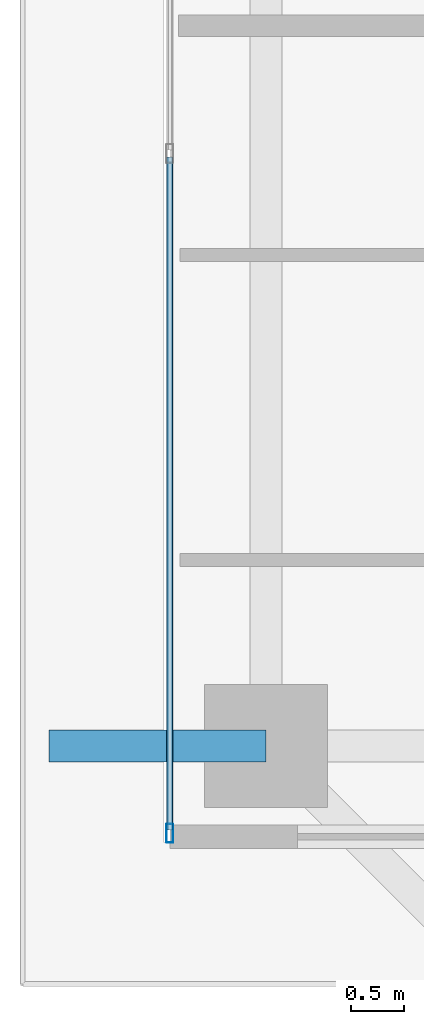
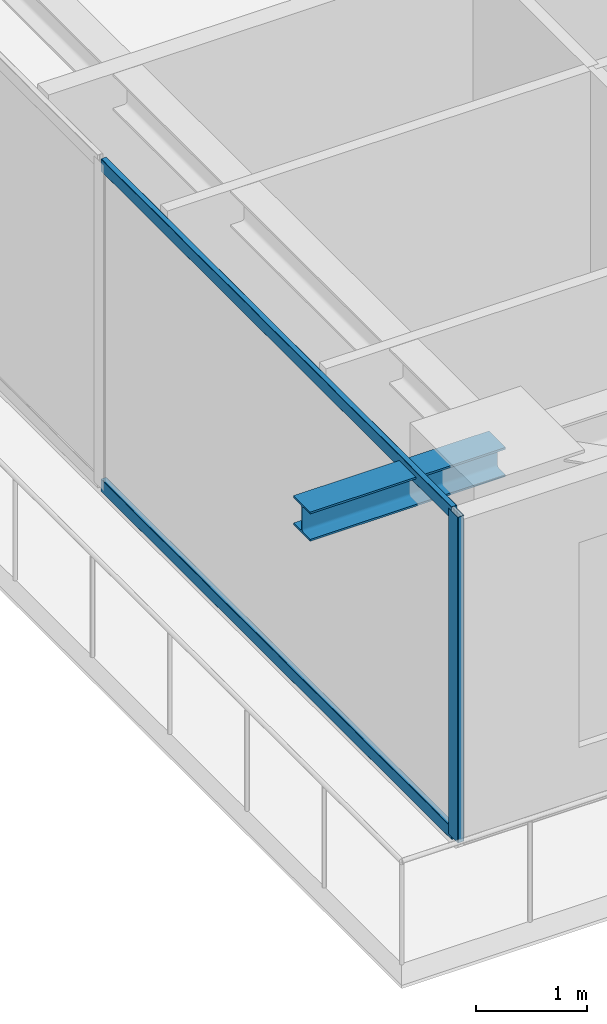
# One storey, part 3 of 37: 3 members, 1 beam, 1 element without a shape of its own.
"""IFC4 building model written with IfcOpenShell, lengths in metres."""

import ifcopenshell
import ifcopenshell.guid

model = None  # the IFC model being written
_history = None  # IfcOwnerHistory: only IFC2X3 demands one
_inside = {}  # id of a spatial element -> (the spatial element, [elements in it])
_under = {}  # id of a project, library or spatial element -> (it, [spatial elements below it])
_declared = {}  # id of a project -> (the project, [libraries it declares])
_typed = {}  # id of a type object -> (the type object, [elements of that type])
_made_of = {}  # id of a material, layer set ... -> (it, [elements and type objects made of it])


def new_model(schema):
    """Start an empty IFC model of exactly this schema.

    Asked for "IFC4X3", IfcOpenShell would pick the latest addendum, in which some entities
    have other attributes; the version numbers below select the first issue.
    IFC2X3 requires an IfcOwnerHistory on every rooted entity: one is made here for all.
    """
    global model, _history
    if schema == "IFC4X3":
        model = ifcopenshell.file(schema_version=(4, 3, 0, 0))
    else:
        model = ifcopenshell.file(schema=schema)
    _inside.clear()
    _under.clear()
    _declared.clear()
    _typed.clear()
    _made_of.clear()
    _history = None
    if model.schema == "IFC2X3":
        org = make("IfcOrganization", Name="unknown")
        user = make(
            "IfcPersonAndOrganization",
            ThePerson=make("IfcPerson", FamilyName="unknown"),
            TheOrganization=org,
        )
        app = make(
            "IfcApplication",
            ApplicationDeveloper=org,
            Version="unknown",
            ApplicationFullName="unknown",
            ApplicationIdentifier="unknown",
        )
        _history = make(
            "IfcOwnerHistory",
            OwningUser=user,
            OwningApplication=app,
            ChangeAction="ADDED",
            CreationDate=0,
        )
    return model


def make(cls, **values):
    """One entity of the class cls with the attributes given. An attribute that is None is left unset."""
    return model.create_entity(
        cls, **{name: value for name, value in values.items() if value is not None}
    )


def rooted(cls, **values):
    """An entity with a GlobalId (a new one), such as an element, a storey or a relation."""
    return make(cls, GlobalId=ifcopenshell.guid.new(), OwnerHistory=_history, **values)


def si_unit(unit_type, name, prefix=None):
    """IfcSIUnit, for example si_unit("LENGTHUNIT", "METRE", prefix="MILLI")."""
    return make("IfcSIUnit", UnitType=unit_type, Prefix=prefix, Name=name)


def assignment(units):
    """IfcUnitAssignment: the units of a project."""
    return None if units is None else make("IfcUnitAssignment", Units=units)


def point(xyz):
    """IfcCartesianPoint."""
    return None if xyz is None else make("IfcCartesianPoint", Coordinates=xyz)


def direction(xyz):
    """IfcDirection."""
    return None if xyz is None else make("IfcDirection", DirectionRatios=xyz)


def frame(location, z_axis=None, x_axis=None):
    """IfcAxis2Placement3D, a coordinate frame: its origin and axes. An axis left out is left unset."""
    return make(
        "IfcAxis2Placement3D",
        Location=point(location),
        Axis=direction(z_axis),
        RefDirection=direction(x_axis),
    )


def frame_2d(location, x_axis=None):
    """IfcAxis2Placement2D, a coordinate frame in the plane: its origin and x axis."""
    return make(
        "IfcAxis2Placement2D", Location=point(location), RefDirection=direction(x_axis)
    )


def origin():
    """The frame at (0, 0, 0) with its axes left unset."""
    return frame((0.0, 0.0, 0.0))


def origin_2d():
    """The frame at (0, 0) in the plane with its x axis left unset."""
    return frame_2d((0.0, 0.0))


def place(relative_to, where):
    """IfcLocalPlacement: puts the frame where relative to a parent placement (None: the world)."""
    return make(
        "IfcLocalPlacement", PlacementRelTo=relative_to, RelativePlacement=where
    )


def context(
    kind, dimensions, precision=None, world=None, true_north=None, identifier=None
):
    """IfcGeometricRepresentationContext, for example the 3D "Model" context."""
    return make(
        "IfcGeometricRepresentationContext",
        ContextIdentifier=identifier,
        ContextType=kind,
        CoordinateSpaceDimension=dimensions,
        Precision=precision,
        WorldCoordinateSystem=world,
        TrueNorth=true_north,
    )


def subcontext(parent, identifier, kind, view, scale=None):
    """IfcGeometricRepresentationSubContext, for example "Body" below "Model"."""
    return make(
        "IfcGeometricRepresentationSubContext",
        ContextIdentifier=identifier,
        ContextType=kind,
        ParentContext=parent,
        TargetScale=scale,
        TargetView=view,
    )


def project(units=None, contexts=None):
    """IfcProject with its units and contexts."""
    return rooted(
        "IfcProject",
        Name="project",
        RepresentationContexts=contexts,
        UnitsInContext=assignment(units),
    )


def spatial(cls, under=None, at=None, **own):
    """A site, building, storey or space (cls), placed at a placement, below another one or the project."""
    s = rooted(cls, ObjectPlacement=at, **own)
    if under is not None:
        _under.setdefault(under.id(), (under, []))[1].append(s)
    return s


def profile(cls, at=None, kind="AREA", **sizes):
    """A parametric profile (cls). Its sizes go by their IFC names, for example OverallWidth=200.0."""
    return make(cls, ProfileType=kind, Position=at, **sizes)


def hollow_rectangle(**sizes):
    """IfcRectangleHollowProfileDef."""
    return profile("IfcRectangleHollowProfileDef", **sizes)


def i_section(**sizes):
    """IfcIShapeProfileDef."""
    return profile("IfcIShapeProfileDef", **sizes)


def extrude(swept, where, along, depth):
    """IfcExtrudedAreaSolid: the profile swept, set in the frame where, extruded along a direction by depth."""
    return make(
        "IfcExtrudedAreaSolid",
        SweptArea=swept,
        Position=where,
        ExtrudedDirection=direction(along),
        Depth=depth,
    )


def shape(context_of_items, identifier, shape_type, items):
    """IfcShapeRepresentation: the items that make up one representation, for example the "Body"."""
    return make(
        "IfcShapeRepresentation",
        ContextOfItems=context_of_items,
        RepresentationIdentifier=identifier,
        RepresentationType=shape_type,
        Items=items,
    )


def source(mapping_origin, context_of_items, identifier, shape_type, items):
    """IfcRepresentationMap: a shape defined once, which mapped items show again and again."""
    return make(
        "IfcRepresentationMap",
        MappingOrigin=mapping_origin,
        MappedRepresentation=shape(context_of_items, identifier, shape_type, items),
    )


def transform(
    local_origin,
    x_axis=None,
    y_axis=None,
    z_axis=None,
    scale=None,
    scale2=None,
    scale3=None,
    uniform=True,
):
    """IfcCartesianTransformationOperator3D, or its non-uniform kind. x_axis, y_axis, z_axis: its Axis1, 2, 3."""
    if uniform:
        return make(
            "IfcCartesianTransformationOperator3D",
            Axis1=direction(x_axis),
            Axis2=direction(y_axis),
            LocalOrigin=point(local_origin),
            Scale=scale,
            Axis3=direction(z_axis),
        )
    return make(
        "IfcCartesianTransformationOperator3DnonUniform",
        Axis1=direction(x_axis),
        Axis2=direction(y_axis),
        LocalOrigin=point(local_origin),
        Scale=scale,
        Axis3=direction(z_axis),
        Scale2=scale2,
        Scale3=scale3,
    )


def mapped(mapping_source, mapping_target):
    """IfcMappedItem: shows the shape of a source again, moved by a transform."""
    return make(
        "IfcMappedItem", MappingSource=mapping_source, MappingTarget=mapping_target
    )


def material(Name=None, Category=None):
    """IfcMaterial."""
    return make("IfcMaterial", Name=Name, Category=Category)


def layer(
    of_material, thickness, ventilated=None, Name=None, Category=None, Priority=None
):
    """IfcMaterialLayer: one layer of a wall or slab, of a material (None: an air gap)."""
    return make(
        "IfcMaterialLayer",
        Material=of_material,
        LayerThickness=thickness,
        IsVentilated=ventilated,
        Name=Name,
        Category=Category,
        Priority=Priority,
    )


def layer_set(layers, Name=None):
    """IfcMaterialLayerSet."""
    return make("IfcMaterialLayerSet", MaterialLayers=layers, LayerSetName=Name)


def material_profile(
    of_material, cross_section, Name=None, Category=None, Priority=None
):
    """IfcMaterialProfile: a cross section and its material."""
    return make(
        "IfcMaterialProfile",
        Name=Name,
        Material=of_material,
        Profile=cross_section,
        Priority=Priority,
        Category=Category,
    )


def profile_set(profiles, Name=None, composite=None):
    """IfcMaterialProfileSet."""
    return make(
        "IfcMaterialProfileSet",
        Name=Name,
        MaterialProfiles=profiles,
        CompositeProfile=composite,
    )


def made_of(thing, what):
    """Note that an element or type object is made of a material, layer set ...; save() writes the relation."""
    if what is not None:
        _made_of.setdefault(what.id(), (what, []))[1].append(thing)
    return thing


def type_object(cls, material=None, **own):
    """A type object (cls), such as IfcWallType, which elements share."""
    return made_of(rooted(cls, **own), material)


def element(
    cls,
    number,
    at=None,
    inside=None,
    cuts=None,
    type_object=None,
    material=None,
    context=None,
    identifier="Body",
    shape_type=None,
    held_by="IfcProductDefinitionShape",
    body=None,
    shapes=None,
    **own,
):
    """One element of the class cls, such as IfcWall. Its Tag is "e" and its number.

    at: its placement. inside: the storey or other place that contains it. cuts: it is an
    opening in that element (IfcRelVoidsElement). A single representation is given by context,
    identifier, shape_type and body (its items); several are given by shapes. held_by: the class
    of the entity that holds the representations. save() writes the other relations.
    """
    e = rooted(cls, Tag="e%d" % number, ObjectPlacement=at, **own)
    if body is not None:
        shapes = [shape(context, identifier, shape_type, body)]
    if shapes is not None:
        e.Representation = make(held_by, Representations=shapes)
    if inside is not None:
        _inside.setdefault(inside.id(), (inside, []))[1].append(e)
    if cuts is not None:
        rooted(
            "IfcRelVoidsElement", RelatingBuildingElement=cuts, RelatedOpeningElement=e
        )
    if type_object is not None:
        _typed.setdefault(type_object.id(), (type_object, []))[1].append(e)
    return made_of(e, material)


def aggregate(whole, parts):
    """IfcRelAggregates: a whole, such as a stair, and the parts it consists of."""
    return rooted("IfcRelAggregates", RelatingObject=whole, RelatedObjects=parts)


def save(model, path):
    """Write the relations noted so far, then the file.

    IfcRelAggregates (storeys below a building ...), IfcRelContainedInSpatialStructure (elements
    in a storey), IfcRelDefinesByType, IfcRelAssociatesMaterial and IfcRelDeclares: one each for
    every whole, place, type object, material and project.
    """
    for whole, parts in _under.values():
        aggregate(whole, parts)
    for where, things in _inside.values():
        rooted(
            "IfcRelContainedInSpatialStructure",
            RelatedElements=things,
            RelatingStructure=where,
        )
    for kind, things in _typed.values():
        rooted("IfcRelDefinesByType", RelatedObjects=things, RelatingType=kind)
    for what, things in _made_of.values():
        rooted("IfcRelAssociatesMaterial", RelatedObjects=things, RelatingMaterial=what)
    for by, libraries in _declared.values():
        rooted("IfcRelDeclares", RelatingContext=by, RelatedDefinitions=libraries)
    model.write(path)


model = new_model("IFC4")

# Units and contexts
model_context = context("Model", 3, precision=1e-05, world=origin(), true_north=direction((0.0, 1.0)))
body_context = subcontext(model_context, "Body", "Model", "MODEL_VIEW")
ifc_project = project(units=[si_unit("LENGTHUNIT", "METRE"), si_unit("AREAUNIT", "SQUARE_METRE"), si_unit("VOLUMEUNIT", "CUBIC_METRE"), si_unit("PLANEANGLEUNIT", "RADIAN"), si_unit("MASSUNIT", "GRAM", prefix="KILO")], contexts=[model_context])

# Site, building, storey
site_placement = place(None, origin())
site = spatial("IfcSite", under=ifc_project, at=site_placement, CompositionType="ELEMENT")
building_placement = place(site_placement, origin())
building = spatial("IfcBuilding", under=site, at=building_placement, Name="Serunith Strait Residences", CompositionType="ELEMENT")
storey_placement = place(building_placement, frame((0.0, 0.0, 275.89990234375)))
storey = spatial("IfcBuildingStorey", under=building, at=storey_placement, Name="L69", CompositionType="ELEMENT", Elevation=275.89990234375)

# Beam
ifc_material_1 = material(Name="Steel S355J2", Category="steel")
ifc_material_profile_1 = material_profile(ifc_material_1, i_section(OverallWidth=0.300048828125, OverallDepth=0.320068359375, WebThickness=0.011474609375, FlangeThickness=0.0205078125, FilletRadius=0.027099609375, at=origin_2d()), Name="HEB 320")
ifc_profile_set_1 = profile_set([ifc_material_profile_1], Name="Steel S355J2")
beam_type = type_object("IfcBeamType", Name="BM-HEB320", PredefinedType="BEAM", material=ifc_profile_set_1)
shared_shape_1 = source(origin(), body_context, "Body", "SweptSolid", [
    extrude(i_section(OverallWidth=0.300048828125, OverallDepth=0.320068359375, WebThickness=0.011474609375, FlangeThickness=0.0205078125, FilletRadius=0.027099609375, at=origin_2d()), origin(), (0.0, 0.0, 1.0), 2.030029296875),
])
beam_placement = place(storey_placement, frame((8.300048828125, 10.050048828125, 3.397216796875), z_axis=(-1.0, 0.0, 0.0), x_axis=(0.0, -1.0, 0.0)))
element("IfcBeam", 1, at=beam_placement, inside=storey, type_object=beam_type, Name="L70 Cantilevered Balcony Rib TC-W1", PredefinedType="BEAM", context=body_context, shape_type="MappedRepresentation", body=[
    mapped(shared_shape_1, transform((0.0, 0.0, 0.0), scale=1.0)),
])

# Curtain wall, members
ifc_material_2 = material(Name="Pale-Champagne Anodised Aluminium", Category="aluminium")
ifc_layer = layer(ifc_material_2, 0.199951171875, Name="Pale-Champagne Anodised Aluminium")
ifc_layer_set = layer_set([ifc_layer], Name="Pale-Champagne Anodised Aluminium")
curtain_wall_type = type_object("IfcCurtainWallType", Name="CW-SYS4", PredefinedType="NOTDEFINED", material=ifc_layer_set)
curtain_wall_placement = place(storey_placement, origin())
curtain_wall = element("IfcCurtainWall", 2, at=curtain_wall_placement, inside=storey, type_object=curtain_wall_type, Name="L69 W Unitised Fritted Curtain Wall", PredefinedType="NOTDEFINED")
ifc_material_profile_2 = material_profile(ifc_material_2, hollow_rectangle(XDim=0.06005859375, YDim=0.139892578125, WallThickness=0.00341796875, InnerFilletRadius=0.00537109375, OuterFilletRadius=0.0087890625, at=origin_2d()), Name="ALU 140x60x3.5")
ifc_profile_set_2 = profile_set([ifc_material_profile_2], Name="Pale-Champagne Anodised Aluminium")
member_type_1 = type_object("IfcMemberType", Name="CW-SYS4-TRAN", PredefinedType="USERDEFINED", material=ifc_profile_set_2)
shared_shape_2 = source(origin(), body_context, "Body", "SweptSolid", [
    extrude(hollow_rectangle(XDim=0.06005859375, YDim=0.139892578125, WallThickness=0.00341796875, InnerFilletRadius=0.00537109375, OuterFilletRadius=0.0087890625, at=origin_2d()), origin(), (0.0, 0.0, 1.0), 6.302490234375),
])
member_1_placement = place(storey_placement, frame((7.39990234375, 15.5673828125, 0.030029296875), z_axis=(0.0, -1.0, 0.0), x_axis=(1.0, 0.0, 0.0)))
member_1 = element("IfcMember", 3, at=member_1_placement, type_object=member_type_1, Name="CW-4 transom 5.1", ObjectType="TRANSOM", PredefinedType="USERDEFINED", context=body_context, shape_type="MappedRepresentation", body=[
    mapped(shared_shape_2, transform((0.0, 0.0, 0.0), scale=1.0)),
])
member_2_placement = place(storey_placement, frame((7.39990234375, 15.5673828125, 3.545166015625), z_axis=(0.0, -1.0, 0.0), x_axis=(1.0, 0.0, 0.0)))
member_2 = element("IfcMember", 4, at=member_2_placement, type_object=member_type_1, Name="CW-4 transom 5.2", ObjectType="TRANSOM", PredefinedType="USERDEFINED", context=body_context, shape_type="MappedRepresentation", body=[
    mapped(shared_shape_2, transform((0.0, 0.0, 0.0), scale=1.0)),
])
ifc_material_profile_3 = material_profile(ifc_material_2, hollow_rectangle(XDim=0.06494140625, YDim=0.179931640625, WallThickness=0.00341796875, InnerFilletRadius=0.00537109375, OuterFilletRadius=0.0087890625, at=origin_2d()), Name="ALU 180x65x3.5")
ifc_profile_set_3 = profile_set([ifc_material_profile_3], Name="Pale-Champagne Anodised Aluminium")
member_type_2 = type_object("IfcMemberType", Name="CW-SYS4-MULL", PredefinedType="MULLION", material=ifc_profile_set_3)
shared_shape_3 = source(origin(), body_context, "Body", "SweptSolid", [
    extrude(hollow_rectangle(XDim=0.06494140625, YDim=0.179931640625, WallThickness=0.00341796875, InnerFilletRadius=0.00537109375, OuterFilletRadius=0.0087890625, at=origin_2d()), origin(), (0.0, 0.0, 1.0), 3.5751953125),
])
member_3_placement = place(storey_placement, frame((7.39990234375, 9.232421875, 0.0), z_axis=(0.0, 0.0, 1.0), x_axis=(1.0, 0.0, 0.0)))
member_3 = element("IfcMember", 5, at=member_3_placement, type_object=member_type_2, Name="CW-4 mullion 6", PredefinedType="MULLION", context=body_context, shape_type="MappedRepresentation", body=[
    mapped(shared_shape_3, transform((0.0, 0.0, 0.0), scale=1.0)),
])
aggregate(curtain_wall, [member_3, member_1, member_2])

save(model, "model.ifc")
